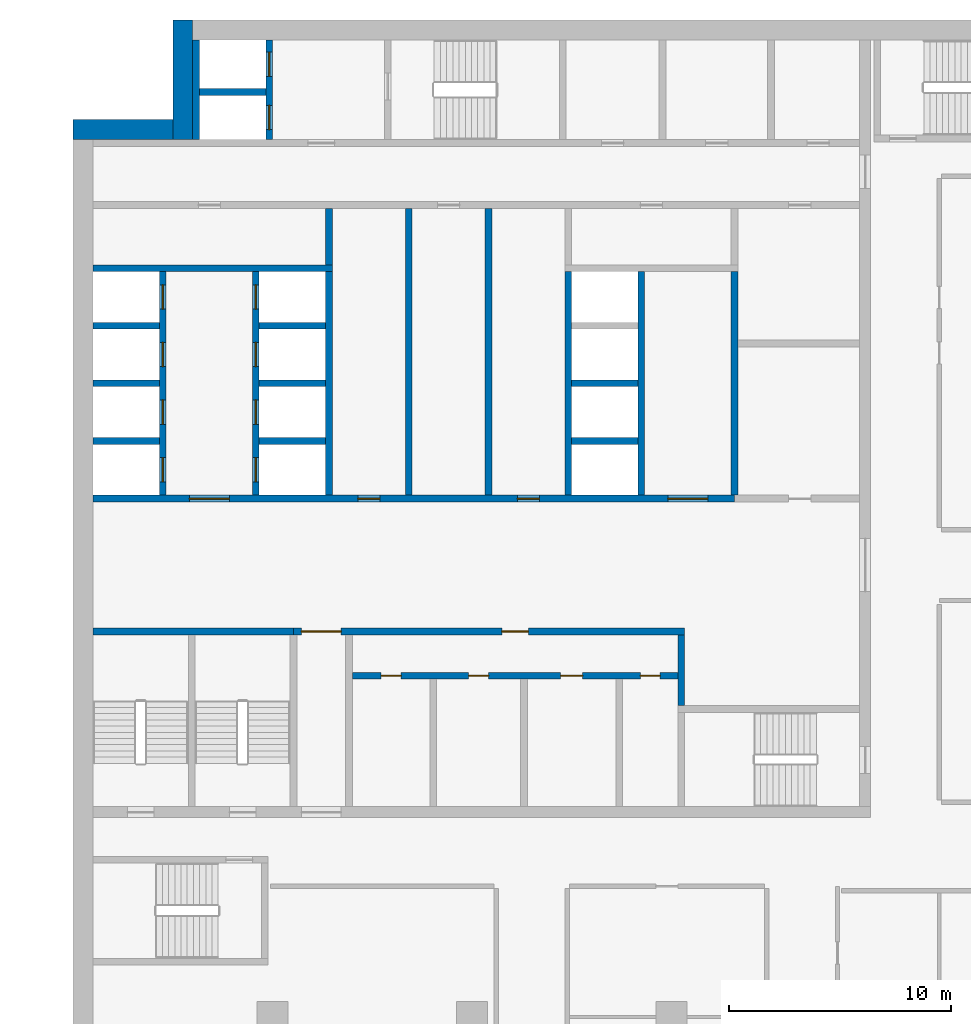
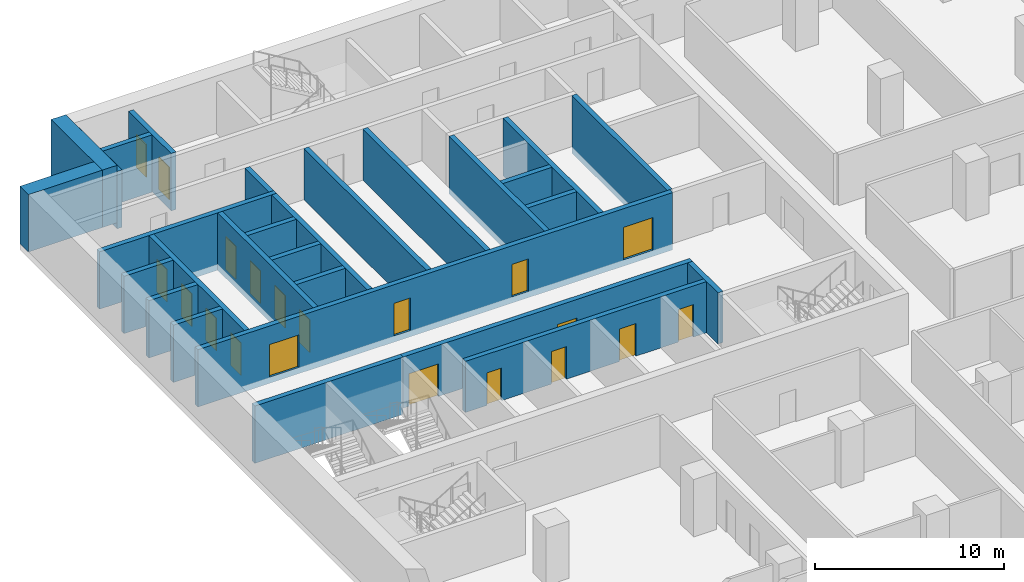
# One storey, part 14 of 29: 28 walls, 20 doors, 20 openings.
"""IFC4 building model written with IfcOpenShell, lengths in metres."""

from ifc_helpers import new_model, si_unit, direction, frame, frame_2d, origin, place, context, subcontext, project, spatial, rectangle, extrude, material, layer, layer_set, type_object, element, fill, save


model = new_model("IFC4")

# Units and contexts
model_context = context("Model", 3, precision=1e-05, world=origin(), true_north=direction((0.0, 1.0)))
body_context = subcontext(model_context, "Body", "Model", "MODEL_VIEW")
ifc_project = project(units=[si_unit("LENGTHUNIT", "METRE"), si_unit("AREAUNIT", "SQUARE_METRE"), si_unit("VOLUMEUNIT", "CUBIC_METRE"), si_unit("PLANEANGLEUNIT", "RADIAN"), si_unit("MASSUNIT", "GRAM", prefix="KILO")], contexts=[model_context])

# Site, building, storey
site_placement = place(None, origin())
site = spatial("IfcSite", under=ifc_project, at=site_placement, CompositionType="ELEMENT")
building_placement = place(site_placement, origin())
building = spatial("IfcBuilding", under=site, at=building_placement, Name="Hunhe Ridgeline Campus", CompositionType="ELEMENT")
storey_placement = place(building_placement, frame((0.0, 0.0, 54.300048828125)))
storey = spatial("IfcBuildingStorey", under=building, at=storey_placement, Name="L12", CompositionType="ELEMENT", Elevation=54.300048828125)

# Wall, openings, doors
ifc_material_1 = material(Name="Masonry concrete blockwork", Category="masonry")
ifc_layer_1 = layer(ifc_material_1, 0.300048828125)
ifc_layer_set_1 = layer_set([ifc_layer_1], Name="Core room partition 300 concrete block")
wall_type_1 = type_object("IfcWallType", Name="Core room partition 300 concrete block", PredefinedType="PARTITIONING", material=ifc_layer_set_1)
wall_1_placement = place(storey_placement, frame((12.60009765625, 69.39990234375, 0.0), z_axis=(0.0, 0.0, 1.0), x_axis=(1.0, 0.0, 0.0)))
wall_1 = element("IfcWall", 1, at=wall_1_placement, inside=storey, type_object=wall_type_1, Name="L12 core partition 11", PredefinedType="PARTITIONING", context=body_context, shape_type="SweptSolid", body=[
    extrude(rectangle(XDim=14.699951171875, YDim=0.300048828125, at=frame_2d((7.35009765625, 0.0))), origin(), (0.0, 0.0, 1.0), 3.300048828125),
])
opening_1_placement = place(wall_1_placement, frame((1.300048828125, 0.0, 0.0)))
opening_1 = element("IfcOpeningElement", 2, at=opening_1_placement, cuts=wall_1, Name="Opening CD8", PredefinedType="OPENING", context=body_context, shape_type="SweptSolid", body=[
    extrude(rectangle(XDim=0.89990234375, YDim=2.10009765625, at=frame_2d((0.449951171875, 1.050048828125))), frame((0.0, 0.14990234375, 0.0), z_axis=(0.0, -1.0, 0.0), x_axis=(1.0, 0.0, 0.0)), (0.0, 0.0, 1.0), 0.300048828125),
])
opening_2_placement = place(wall_1_placement, frame((5.25, 0.0, 0.0)))
opening_2 = element("IfcOpeningElement", 3, at=opening_2_placement, cuts=wall_1, Name="Opening CD9", PredefinedType="OPENING", context=body_context, shape_type="SweptSolid", body=[
    extrude(rectangle(XDim=0.89990234375, YDim=2.10009765625, at=frame_2d((0.449951171875, 1.050048828125))), frame((0.0, 0.14990234375, 0.0), z_axis=(0.0, -1.0, 0.0), x_axis=(1.0, 0.0, 0.0)), (0.0, 0.0, 1.0), 0.300048828125),
])
opening_3_placement = place(wall_1_placement, frame((9.39990234375, 0.0, 0.0)))
opening_3 = element("IfcOpeningElement", 4, at=opening_3_placement, cuts=wall_1, Name="Opening CD10", PredefinedType="OPENING", context=body_context, shape_type="SweptSolid", body=[
    extrude(rectangle(XDim=1.0, YDim=2.10009765625, at=frame_2d((0.5, 1.050048828125))), frame((0.0, 0.14990234375, 0.0), z_axis=(0.0, -1.0, 0.0), x_axis=(1.0, 0.0, 0.0)), (0.0, 0.0, 1.0), 0.300048828125),
])
opening_4_placement = place(wall_1_placement, frame((13.0, 0.0, 0.0)))
opening_4 = element("IfcOpeningElement", 5, at=opening_4_placement, cuts=wall_1, Name="Opening CD11", PredefinedType="OPENING", context=body_context, shape_type="SweptSolid", body=[
    extrude(rectangle(XDim=0.89990234375, YDim=2.10009765625, at=frame_2d((0.449951171875, 1.050048828125))), frame((0.0, 0.14990234375, 0.0), z_axis=(0.0, -1.0, 0.0), x_axis=(1.0, 0.0, 0.0)), (0.0, 0.0, 1.0), 0.300048828125),
])
ifc_material_2 = material(Name="Solid core timber door leaf", Category="wood")
door_type_1 = type_object("IfcDoorType", Name="Timber door 1000x2100", OperationType="SINGLE_SWING_LEFT", PredefinedType="DOOR", material=ifc_material_2)
door_1_placement = place(opening_3_placement, frame((1.0, 0.0, 0.0), z_axis=(0.0, 0.0, 1.0), x_axis=(-1.0, 0.0, 0.0)))
door_1 = element("IfcDoor", 6, at=door_1_placement, inside=storey, type_object=door_type_1, Name="L12 door WC3", OperationType="SINGLE_SWING_RIGHT", OverallHeight=2.10009765625, OverallWidth=1.0, PredefinedType="DOOR", context=body_context, shape_type="SweptSolid", body=[
    extrude(rectangle(XDim=1.0, YDim=2.10009765625, at=frame_2d((0.5, 1.050048828125))), frame((0.0, 0.02490234375, 0.0), z_axis=(0.0, -1.0, 0.0), x_axis=(1.0, 0.0, 0.0)), (0.0, 0.0, 1.0), 0.050048828125),
])
fill(opening_3, door_1)
door_type_2 = type_object("IfcDoorType", Name="Timber door 900x2100", OperationType="SINGLE_SWING_LEFT", PredefinedType="DOOR", material=ifc_material_2)
door_2_placement = place(opening_1_placement, frame((0.89990234375, 0.0, 0.0), z_axis=(0.0, 0.0, 1.0), x_axis=(-1.0, 0.0, 0.0)))
door_2 = element("IfcDoor", 7, at=door_2_placement, inside=storey, type_object=door_type_2, Name="L12 door WC1", OperationType="SINGLE_SWING_RIGHT", OverallHeight=2.10009765625, OverallWidth=0.89990234375, PredefinedType="DOOR", context=body_context, shape_type="SweptSolid", body=[
    extrude(rectangle(XDim=0.89990234375, YDim=2.10009765625, at=frame_2d((0.449951171875, 1.050048828125))), frame((0.0, 0.02490234375, 0.0), z_axis=(0.0, -1.0, 0.0), x_axis=(1.0, 0.0, 0.0)), (0.0, 0.0, 1.0), 0.050048828125),
])
fill(opening_1, door_2)
door_3_placement = place(opening_2_placement, frame((0.89990234375, 0.0, 0.0), z_axis=(0.0, 0.0, 1.0), x_axis=(-1.0, 0.0, 0.0)))
door_3 = element("IfcDoor", 8, at=door_3_placement, inside=storey, type_object=door_type_2, Name="L12 door WC2", OperationType="SINGLE_SWING_LEFT", OverallHeight=2.10009765625, OverallWidth=0.89990234375, PredefinedType="DOOR", context=body_context, shape_type="SweptSolid", body=[
    extrude(rectangle(XDim=0.89990234375, YDim=2.10009765625, at=frame_2d((0.449951171875, 1.050048828125))), frame((0.0, 0.02490234375, 0.0), z_axis=(0.0, -1.0, 0.0), x_axis=(1.0, 0.0, 0.0)), (0.0, 0.0, 1.0), 0.050048828125),
])
fill(opening_2, door_3)
door_4_placement = place(opening_4_placement, frame((0.89990234375, 0.0, 0.0), z_axis=(0.0, 0.0, 1.0), x_axis=(-1.0, 0.0, 0.0)))
door_4 = element("IfcDoor", 9, at=door_4_placement, inside=storey, type_object=door_type_2, Name="L12 door WC4", OperationType="SINGLE_SWING_LEFT", OverallHeight=2.10009765625, OverallWidth=0.89990234375, PredefinedType="DOOR", context=body_context, shape_type="SweptSolid", body=[
    extrude(rectangle(XDim=0.89990234375, YDim=2.10009765625, at=frame_2d((0.449951171875, 1.050048828125))), frame((0.0, 0.02490234375, 0.0), z_axis=(0.0, -1.0, 0.0), x_axis=(1.0, 0.0, 0.0)), (0.0, 0.0, 1.0), 0.050048828125),
])
fill(opening_4, door_4)

wall_2_placement = place(storey_placement, frame((9.949951171875, 71.39990234375, 0.0), z_axis=(0.0, 0.0, 1.0), x_axis=(1.0, 0.0, 0.0)))
wall_2 = element("IfcWall", 10, at=wall_2_placement, inside=storey, type_object=wall_type_1, Name="L12 core partition 13", PredefinedType="PARTITIONING", context=body_context, shape_type="SweptSolid", body=[
    extrude(rectangle(XDim=17.650146484375, YDim=0.300048828125, at=frame_2d((8.8251953125, 0.0))), origin(), (0.0, 0.0, 1.0), 3.300048828125),
])
opening_5_placement = place(wall_2_placement, frame((0.35009765625, 0.0, 0.0)))
opening_5 = element("IfcOpeningElement", 11, at=opening_5_placement, cuts=wall_2, Name="Opening CD7", PredefinedType="OPENING", context=body_context, shape_type="SweptSolid", body=[
    extrude(rectangle(XDim=1.800048828125, YDim=2.10009765625, at=frame_2d((0.89990234375, 1.050048828125))), frame((0.0, 0.14990234375, 0.0), z_axis=(0.0, -1.0, 0.0), x_axis=(1.0, 0.0, 0.0)), (0.0, 0.0, 1.0), 0.300048828125),
])
opening_6_placement = place(wall_2_placement, frame((9.39990234375, 0.0, 0.0)))
opening_6 = element("IfcOpeningElement", 12, at=opening_6_placement, cuts=wall_2, Name="Opening CD12", PredefinedType="OPENING", context=body_context, shape_type="SweptSolid", body=[
    extrude(rectangle(XDim=1.199951171875, YDim=2.10009765625, at=frame_2d((0.60009765625, 1.050048828125))), frame((0.0, 0.14990234375, 0.0), z_axis=(0.0, -1.0, 0.0), x_axis=(1.0, 0.0, 0.0)), (0.0, 0.0, 1.0), 0.300048828125),
])
ifc_material_3 = material(Name="Anodised aluminium and glass", Category="aluminium")
door_type_3 = type_object("IfcDoorType", Name="Glazed double door 1800x2100", OperationType="DOUBLE_DOOR_SINGLE_SWING", PredefinedType="DOOR", material=ifc_material_3)
door_5_placement = place(opening_5_placement, origin())
door_5 = element("IfcDoor", 13, at=door_5_placement, inside=storey, type_object=door_type_3, Name="L12 door VEST-HALL", OperationType="DOUBLE_DOOR_SINGLE_SWING", OverallHeight=2.10009765625, OverallWidth=1.800048828125, PredefinedType="DOOR", context=body_context, shape_type="SweptSolid", body=[
    extrude(rectangle(XDim=1.800048828125, YDim=2.10009765625, at=frame_2d((0.89990234375, 1.050048828125))), frame((0.0, 0.02490234375, 0.0), z_axis=(0.0, -1.0, 0.0), x_axis=(1.0, 0.0, 0.0)), (0.0, 0.0, 1.0), 0.050048828125),
])
fill(opening_5, door_5)
door_type_4 = type_object("IfcDoorType", Name="Timber door 1200x2100", OperationType="SINGLE_SWING_LEFT", PredefinedType="DOOR", material=ifc_material_2)
door_6_placement = place(opening_6_placement, origin())
door_6 = element("IfcDoor", 14, at=door_6_placement, inside=storey, type_object=door_type_4, Name="L12 door WCL2-HALL", OperationType="SINGLE_SWING_LEFT", OverallHeight=2.10009765625, OverallWidth=1.199951171875, PredefinedType="DOOR", context=body_context, shape_type="SweptSolid", body=[
    extrude(rectangle(XDim=1.199951171875, YDim=2.10009765625, at=frame_2d((0.60009765625, 1.050048828125))), frame((0.0, 0.02490234375, 0.0), z_axis=(0.0, -1.0, 0.0), x_axis=(1.0, 0.0, 0.0)), (0.0, 0.0, 1.0), 0.050048828125),
])
fill(opening_6, door_6)

# Walls
wall_3_placement = place(storey_placement, frame((11.550048828125, 87.949951171875, 0.0), z_axis=(0.0, 0.0, 1.0), x_axis=(0.0, 1.0, 0.0)))
element("IfcWall", 15, at=wall_3_placement, inside=storey, type_object=wall_type_1, Name="L12 core partition 44", PredefinedType="PARTITIONING", context=body_context, shape_type="SweptSolid", body=[
    extrude(rectangle(XDim=2.550048828125, YDim=0.300048828125, at=frame_2d((1.27490234375, 0.0))), origin(), (0.0, 0.0, 1.0), 3.300048828125),
])
for number, where, z_axis, x_axis, name in (
    (16, (15.14990234375, 77.550048828125, 0.0), (0.0, 0.0, 1.0), (0.0, 1.0, 0.0), "L12 core partition 47"),
    (17, (18.75, 77.550048828125, 0.0), (0.0, 0.0, 1.0), (0.0, 1.0, 0.0), "L12 core partition 49"),
):
    element("IfcWall", number, at=place(storey_placement, frame(where, z_axis=z_axis, x_axis=x_axis)), inside=storey, type_object=wall_type_1, Name=name, PredefinedType="PARTITIONING", context=body_context, shape_type="SweptSolid", body=[
        extrude(rectangle(XDim=12.949951171875, YDim=0.300048828125, at=frame_2d((6.47509765625, 0.0))), origin(), (0.0, 0.0, 1.0), 3.300048828125),
    ])
wall_4_placement = place(storey_placement, frame((27.449951171875, 68.050048828125, 0.0), z_axis=(0.0, 0.0, 1.0), x_axis=(0.0, 1.0, 0.0)))
element("IfcWall", 18, at=wall_4_placement, inside=storey, type_object=wall_type_1, Name="L12 core partition 60", PredefinedType="PARTITIONING", context=body_context, shape_type="SweptSolid", body=[
    extrude(rectangle(XDim=3.199951171875, YDim=0.300048828125, at=frame_2d((1.60009765625, 0.0))), origin(), (0.0, 0.0, 1.0), 3.300048828125),
])
ifc_material_4 = material(Name="Concrete C80", Category="concrete")
ifc_layer_2 = layer(ifc_material_4, 0.300048828125)
ifc_layer_set_2 = layer_set([ifc_layer_2], Name="Lobby wall 300 reinforced concrete C80")
wall_type_2 = type_object("IfcWallType", Name="Lobby wall 300 reinforced concrete C80", PredefinedType="SOLIDWALL", material=ifc_layer_set_2)
wall_5_placement = place(storey_placement, frame((29.85009765625, 77.550048828125, -0.400146484375), z_axis=(0.0, 0.0, 1.0), x_axis=(0.0, 1.0, 0.0)))
element("IfcWall", 19, at=wall_5_placement, inside=storey, type_object=wall_type_2, Name="L12 core wall 61", PredefinedType="SOLIDWALL", context=body_context, shape_type="SweptSolid", body=[
    extrude(rectangle(XDim=10.099853515625, YDim=0.300048828125, at=frame_2d((5.0498046875, 0.0))), origin(), (0.0, 0.0, 1.0), 3.7001953125),
])

# Wall, openings, doors
ifc_layer_3 = layer(ifc_material_4, 0.300048828125)
ifc_layer_set_3 = layer_set([ifc_layer_3], Name="Shaft wall 300 reinforced concrete C80")
wall_type_3 = type_object("IfcWallType", Name="Shaft wall 300 reinforced concrete C80", PredefinedType="SOLIDWALL", material=ifc_layer_set_3)
wall_6_placement = place(storey_placement, frame((0.89990234375, 77.39990234375, -0.400146484375), z_axis=(0.0, 0.0, 1.0), x_axis=(1.0, 0.0, 0.0)))
wall_6 = element("IfcWall", 20, at=wall_6_placement, inside=storey, type_object=wall_type_3, Name="L12 core wall 14", PredefinedType="SOLIDWALL", context=body_context, shape_type="SweptSolid", body=[
    extrude(rectangle(XDim=28.9501953125, YDim=0.300048828125, at=frame_2d((14.47509765625, 0.0))), origin(), (0.0, 0.0, 1.0), 3.7001953125),
])
opening_7_placement = place(wall_6_placement, frame((4.35009765625, 0.0, 0.39990234375)))
opening_7 = element("IfcOpeningElement", 21, at=opening_7_placement, cuts=wall_6, Name="Opening CD1", PredefinedType="OPENING", context=body_context, shape_type="SweptSolid", body=[
    extrude(rectangle(XDim=1.800048828125, YDim=2.10009765625, at=frame_2d((0.89990234375, 1.050048828125))), frame((0.0, 0.14990234375, 0.0), z_axis=(0.0, -1.0, 0.0), x_axis=(1.0, 0.0, 0.0)), (0.0, 0.0, 1.0), 0.300048828125),
])
opening_8_placement = place(wall_6_placement, frame((25.949951171875, 0.0, 0.39990234375)))
opening_8 = element("IfcOpeningElement", 22, at=opening_8_placement, cuts=wall_6, Name="Opening CD2", PredefinedType="OPENING", context=body_context, shape_type="SweptSolid", body=[
    extrude(rectangle(XDim=1.800048828125, YDim=2.10009765625, at=frame_2d((0.89990234375, 1.050048828125))), frame((0.0, 0.14990234375, 0.0), z_axis=(0.0, -1.0, 0.0), x_axis=(1.0, 0.0, 0.0)), (0.0, 0.0, 1.0), 0.300048828125),
])
opening_9_placement = place(wall_6_placement, frame((11.949951171875, 0.0, 0.39990234375)))
opening_9 = element("IfcOpeningElement", 23, at=opening_9_placement, cuts=wall_6, Name="Opening CD28", PredefinedType="OPENING", context=body_context, shape_type="SweptSolid", body=[
    extrude(rectangle(XDim=1.0, YDim=2.10009765625, at=frame_2d((0.5, 1.050048828125))), frame((0.0, 0.14990234375, 0.0), z_axis=(0.0, -1.0, 0.0), x_axis=(1.0, 0.0, 0.0)), (0.0, 0.0, 1.0), 0.300048828125),
])
opening_10_placement = place(wall_6_placement, frame((19.14990234375, 0.0, 0.39990234375)))
opening_10 = element("IfcOpeningElement", 24, at=opening_10_placement, cuts=wall_6, Name="Opening CD30", PredefinedType="OPENING", context=body_context, shape_type="SweptSolid", body=[
    extrude(rectangle(XDim=1.0, YDim=2.10009765625, at=frame_2d((0.5, 1.050048828125))), frame((0.0, 0.14990234375, 0.0), z_axis=(0.0, -1.0, 0.0), x_axis=(1.0, 0.0, 0.0)), (0.0, 0.0, 1.0), 0.300048828125),
])
ifc_material_5 = material(Name="Hollow metal fire door leaf")
door_type_5 = type_object("IfcDoorType", Name="Lobby door 1800x2100 FD60", OperationType="SINGLE_SWING_LEFT", PredefinedType="DOOR", material=ifc_material_5)
door_7_placement = place(opening_7_placement, frame((1.800048828125, 0.0, 0.0), z_axis=(0.0, 0.0, 1.0), x_axis=(-1.0, 0.0, 0.0)))
door_7 = element("IfcDoor", 25, at=door_7_placement, inside=storey, type_object=door_type_5, Name="L12 door LOB-LR", OperationType="SINGLE_SWING_RIGHT", OverallHeight=2.10009765625, OverallWidth=1.800048828125, PredefinedType="DOOR", context=body_context, shape_type="SweptSolid", body=[
    extrude(rectangle(XDim=1.800048828125, YDim=2.10009765625, at=frame_2d((0.89990234375, 1.050048828125))), frame((0.0, 0.02490234375, 0.0), z_axis=(0.0, -1.0, 0.0), x_axis=(1.0, 0.0, 0.0)), (0.0, 0.0, 1.0), 0.050048828125),
])
fill(opening_7, door_7)
door_8_placement = place(opening_8_placement, frame((1.800048828125, 0.0, 0.0), z_axis=(0.0, 0.0, 1.0), x_axis=(-1.0, 0.0, 0.0)))
door_8 = element("IfcDoor", 26, at=door_8_placement, inside=storey, type_object=door_type_5, Name="L12 door LOB-SH", OperationType="SINGLE_SWING_LEFT", OverallHeight=2.10009765625, OverallWidth=1.800048828125, PredefinedType="DOOR", context=body_context, shape_type="SweptSolid", body=[
    extrude(rectangle(XDim=1.800048828125, YDim=2.10009765625, at=frame_2d((0.89990234375, 1.050048828125))), frame((0.0, 0.02490234375, 0.0), z_axis=(0.0, -1.0, 0.0), x_axis=(1.0, 0.0, 0.0)), (0.0, 0.0, 1.0), 0.050048828125),
])
fill(opening_8, door_8)
door_9_placement = place(opening_9_placement, origin())
door_9 = element("IfcDoor", 27, at=door_9_placement, inside=storey, type_object=door_type_1, Name="L12 door VD-HR0", OperationType="SINGLE_SWING_LEFT", OverallHeight=2.10009765625, OverallWidth=1.0, PredefinedType="DOOR", context=body_context, shape_type="SweptSolid", body=[
    extrude(rectangle(XDim=1.0, YDim=2.10009765625, at=frame_2d((0.5, 1.050048828125))), frame((0.0, 0.02490234375, 0.0), z_axis=(0.0, -1.0, 0.0), x_axis=(1.0, 0.0, 0.0)), (0.0, 0.0, 1.0), 0.050048828125),
])
fill(opening_9, door_9)
door_10_placement = place(opening_10_placement, origin())
door_10 = element("IfcDoor", 28, at=door_10_placement, inside=storey, type_object=door_type_1, Name="L12 door VD-HR2", OperationType="SINGLE_SWING_LEFT", OverallHeight=2.10009765625, OverallWidth=1.0, PredefinedType="DOOR", context=body_context, shape_type="SweptSolid", body=[
    extrude(rectangle(XDim=1.0, YDim=2.10009765625, at=frame_2d((0.5, 1.050048828125))), frame((0.0, 0.02490234375, 0.0), z_axis=(0.0, -1.0, 0.0), x_axis=(1.0, 0.0, 0.0)), (0.0, 0.0, 1.0), 0.050048828125),
])
fill(opening_10, door_10)

# Walls
for number, where, z_axis, x_axis, name in (
    (29, (0.89990234375, 80.0, -0.400146484375), (0.0, 0.0, 1.0), (1.0, 0.0, 0.0), "L12 core wall 16"),
    (30, (8.39990234375, 80.0, -0.400146484375), (0.0, 0.0, 1.0), (1.0, 0.0, 0.0), "L12 core wall 17"),
    (31, (22.5, 80.0, -0.400146484375), (0.0, 0.0, 1.0), (1.0, 0.0, 0.0), "L12 core wall 18"),
    (32, (0.89990234375, 82.60009765625, -0.400146484375), (0.0, 0.0, 1.0), (1.0, 0.0, 0.0), "L12 core wall 19"),
    (33, (8.39990234375, 82.60009765625, -0.400146484375), (0.0, 0.0, 1.0), (1.0, 0.0, 0.0), "L12 core wall 20"),
    (34, (22.5, 82.60009765625, -0.400146484375), (0.0, 0.0, 1.0), (1.0, 0.0, 0.0), "L12 core wall 21"),
    (35, (0.89990234375, 85.199951171875, -0.400146484375), (0.0, 0.0, 1.0), (1.0, 0.0, 0.0), "L12 core wall 23"),
    (36, (8.39990234375, 85.199951171875, -0.400146484375), (0.0, 0.0, 1.0), (1.0, 0.0, 0.0), "L12 core wall 24"),
):
    element("IfcWall", number, at=place(storey_placement, frame(where, z_axis=z_axis, x_axis=x_axis)), inside=storey, type_object=wall_type_3, Name=name, PredefinedType="SOLIDWALL", context=body_context, shape_type="SweptSolid", body=[
        extrude(rectangle(XDim=3.0, YDim=0.300048828125, at=frame_2d((1.5, 0.0))), origin(), (0.0, 0.0, 1.0), 3.7001953125),
    ])
wall_7_placement = place(storey_placement, frame((0.89990234375, 87.800048828125, -0.400146484375), z_axis=(0.0, 0.0, 1.0), x_axis=(1.0, 0.0, 0.0)))
element("IfcWall", 37, at=wall_7_placement, inside=storey, type_object=wall_type_3, Name="L12 core wall 26", PredefinedType="SOLIDWALL", context=body_context, shape_type="SweptSolid", body=[
    extrude(rectangle(XDim=10.800048828125, YDim=0.300048828125, at=frame_2d((5.39990234375, 0.0))), origin(), (0.0, 0.0, 1.0), 3.7001953125),
])
wall_8_placement = place(storey_placement, frame((5.699951171875, 95.75, -0.400146484375), z_axis=(0.0, 0.0, 1.0), x_axis=(1.0, 0.0, 0.0)))
element("IfcWall", 38, at=wall_8_placement, inside=storey, type_object=wall_type_3, Name="L12 core wall 34", PredefinedType="SOLIDWALL", context=body_context, shape_type="SweptSolid", body=[
    extrude(rectangle(XDim=3.0, YDim=0.300048828125, at=frame_2d((1.5, 0.0))), origin(), (0.0, 0.0, 1.0), 3.7001953125),
])

# Wall, openings, doors
wall_9_placement = place(storey_placement, frame((4.050048828125, 77.550048828125, -0.400146484375), z_axis=(0.0, 0.0, 1.0), x_axis=(0.0, 1.0, 0.0)))
wall_9 = element("IfcWall", 39, at=wall_9_placement, inside=storey, type_object=wall_type_3, Name="L12 core wall 35", PredefinedType="SOLIDWALL", context=body_context, shape_type="SweptSolid", body=[
    extrude(rectangle(XDim=10.099853515625, YDim=0.300048828125, at=frame_2d((5.0498046875, 0.0))), origin(), (0.0, 0.0, 1.0), 3.7001953125),
])
opening_11_placement = place(wall_9_placement, frame((0.60009765625, 0.0, 0.39990234375)))
opening_11 = element("IfcOpeningElement", 40, at=opening_11_placement, cuts=wall_9, Name="Opening LD-LR1", PredefinedType="OPENING", context=body_context, shape_type="SweptSolid", body=[
    extrude(rectangle(XDim=1.10009765625, YDim=2.10009765625, at=frame_2d((0.550048828125, 1.050048828125))), frame((0.0, 0.14990234375, 0.0), z_axis=(0.0, -1.0, 0.0), x_axis=(1.0, 0.0, 0.0)), (0.0, 0.0, 1.0), 0.300048828125),
])
opening_12_placement = place(wall_9_placement, frame((3.199951171875, 0.0, 0.39990234375)))
opening_12 = element("IfcOpeningElement", 41, at=opening_12_placement, cuts=wall_9, Name="Opening LD-LR2", PredefinedType="OPENING", context=body_context, shape_type="SweptSolid", body=[
    extrude(rectangle(XDim=1.10009765625, YDim=2.10009765625, at=frame_2d((0.550048828125, 1.050048828125))), frame((0.0, 0.14990234375, 0.0), z_axis=(0.0, -1.0, 0.0), x_axis=(1.0, 0.0, 0.0)), (0.0, 0.0, 1.0), 0.300048828125),
])
opening_13_placement = place(wall_9_placement, frame((5.800048828125, 0.0, 0.39990234375)))
opening_13 = element("IfcOpeningElement", 42, at=opening_13_placement, cuts=wall_9, Name="Opening LD-LR3", PredefinedType="OPENING", context=body_context, shape_type="SweptSolid", body=[
    extrude(rectangle(XDim=1.10009765625, YDim=2.10009765625, at=frame_2d((0.550048828125, 1.050048828125))), frame((0.0, 0.14990234375, 0.0), z_axis=(0.0, -1.0, 0.0), x_axis=(1.0, 0.0, 0.0)), (0.0, 0.0, 1.0), 0.300048828125),
])
opening_14_placement = place(wall_9_placement, frame((8.39990234375, 0.0, 0.39990234375)))
opening_14 = element("IfcOpeningElement", 43, at=opening_14_placement, cuts=wall_9, Name="Opening LD-LR4", PredefinedType="OPENING", context=body_context, shape_type="SweptSolid", body=[
    extrude(rectangle(XDim=1.10009765625, YDim=2.10009765625, at=frame_2d((0.550048828125, 1.050048828125))), frame((0.0, 0.14990234375, 0.0), z_axis=(0.0, -1.0, 0.0), x_axis=(1.0, 0.0, 0.0)), (0.0, 0.0, 1.0), 0.300048828125),
])
ifc_material_6 = material(Name="Stainless steel sliding leaves", Category="steel")
door_type_6 = type_object("IfcDoorType", Name="Landing door 1100x2100 FD120", OperationType="SLIDING_TO_LEFT", PredefinedType="DOOR", material=ifc_material_6)
door_11_placement = place(opening_11_placement, origin())
door_11 = element("IfcDoor", 44, at=door_11_placement, inside=storey, type_object=door_type_6, Name="L12 landing door LR1", OperationType="SLIDING_TO_RIGHT", OverallHeight=2.10009765625, OverallWidth=1.10009765625, PredefinedType="DOOR", context=body_context, shape_type="SweptSolid", body=[
    extrude(rectangle(XDim=1.10009765625, YDim=2.10009765625, at=frame_2d((0.550048828125, 1.050048828125))), frame((0.0, 0.02490234375, 0.0), z_axis=(0.0, -1.0, 0.0), x_axis=(1.0, 0.0, 0.0)), (0.0, 0.0, 1.0), 0.050048828125),
])
fill(opening_11, door_11)
door_12_placement = place(opening_12_placement, origin())
door_12 = element("IfcDoor", 45, at=door_12_placement, inside=storey, type_object=door_type_6, Name="L12 landing door LR2", OperationType="SLIDING_TO_LEFT", OverallHeight=2.10009765625, OverallWidth=1.10009765625, PredefinedType="DOOR", context=body_context, shape_type="SweptSolid", body=[
    extrude(rectangle(XDim=1.10009765625, YDim=2.10009765625, at=frame_2d((0.550048828125, 1.050048828125))), frame((0.0, 0.02490234375, 0.0), z_axis=(0.0, -1.0, 0.0), x_axis=(1.0, 0.0, 0.0)), (0.0, 0.0, 1.0), 0.050048828125),
])
fill(opening_12, door_12)
door_13_placement = place(opening_13_placement, origin())
door_13 = element("IfcDoor", 46, at=door_13_placement, inside=storey, type_object=door_type_6, Name="L12 landing door LR3", OperationType="SLIDING_TO_RIGHT", OverallHeight=2.10009765625, OverallWidth=1.10009765625, PredefinedType="DOOR", context=body_context, shape_type="SweptSolid", body=[
    extrude(rectangle(XDim=1.10009765625, YDim=2.10009765625, at=frame_2d((0.550048828125, 1.050048828125))), frame((0.0, 0.02490234375, 0.0), z_axis=(0.0, -1.0, 0.0), x_axis=(1.0, 0.0, 0.0)), (0.0, 0.0, 1.0), 0.050048828125),
])
fill(opening_13, door_13)
door_14_placement = place(opening_14_placement, origin())
door_14 = element("IfcDoor", 47, at=door_14_placement, inside=storey, type_object=door_type_6, Name="L12 landing door LR4", OperationType="SLIDING_TO_LEFT", OverallHeight=2.10009765625, OverallWidth=1.10009765625, PredefinedType="DOOR", context=body_context, shape_type="SweptSolid", body=[
    extrude(rectangle(XDim=1.10009765625, YDim=2.10009765625, at=frame_2d((0.550048828125, 1.050048828125))), frame((0.0, 0.02490234375, 0.0), z_axis=(0.0, -1.0, 0.0), x_axis=(1.0, 0.0, 0.0)), (0.0, 0.0, 1.0), 0.050048828125),
])
fill(opening_14, door_14)

# Wall
wall_10_placement = place(storey_placement, frame((5.550048828125, 93.60009765625, -0.400146484375), z_axis=(0.0, 0.0, 1.0), x_axis=(0.0, 1.0, 0.0)))
element("IfcWall", 48, at=wall_10_placement, inside=storey, type_object=wall_type_3, Name="L12 core wall 37", PredefinedType="SOLIDWALL", context=body_context, shape_type="SweptSolid", body=[
    extrude(rectangle(XDim=4.5, YDim=0.300048828125, at=frame_2d((2.25, 0.0))), origin(), (0.0, 0.0, 1.0), 3.7001953125),
])

# Wall, openings, doors
wall_11_placement = place(storey_placement, frame((8.25, 77.550048828125, -0.400146484375), z_axis=(0.0, 0.0, 1.0), x_axis=(0.0, 1.0, 0.0)))
wall_11 = element("IfcWall", 49, at=wall_11_placement, inside=storey, type_object=wall_type_3, Name="L12 core wall 38", PredefinedType="SOLIDWALL", context=body_context, shape_type="SweptSolid", body=[
    extrude(rectangle(XDim=10.099853515625, YDim=0.300048828125, at=frame_2d((5.0498046875, 0.0))), origin(), (0.0, 0.0, 1.0), 3.7001953125),
])
opening_15_placement = place(wall_11_placement, frame((0.60009765625, 0.0, 0.39990234375)))
opening_15 = element("IfcOpeningElement", 50, at=opening_15_placement, cuts=wall_11, Name="Opening LD-LR5", PredefinedType="OPENING", context=body_context, shape_type="SweptSolid", body=[
    extrude(rectangle(XDim=1.10009765625, YDim=2.10009765625, at=frame_2d((0.550048828125, 1.050048828125))), frame((0.0, 0.14990234375, 0.0), z_axis=(0.0, -1.0, 0.0), x_axis=(1.0, 0.0, 0.0)), (0.0, 0.0, 1.0), 0.300048828125),
])
opening_16_placement = place(wall_11_placement, frame((3.199951171875, 0.0, 0.39990234375)))
opening_16 = element("IfcOpeningElement", 51, at=opening_16_placement, cuts=wall_11, Name="Opening LD-LR6", PredefinedType="OPENING", context=body_context, shape_type="SweptSolid", body=[
    extrude(rectangle(XDim=1.10009765625, YDim=2.10009765625, at=frame_2d((0.550048828125, 1.050048828125))), frame((0.0, 0.14990234375, 0.0), z_axis=(0.0, -1.0, 0.0), x_axis=(1.0, 0.0, 0.0)), (0.0, 0.0, 1.0), 0.300048828125),
])
opening_17_placement = place(wall_11_placement, frame((5.800048828125, 0.0, 0.39990234375)))
opening_17 = element("IfcOpeningElement", 52, at=opening_17_placement, cuts=wall_11, Name="Opening LD-LR7", PredefinedType="OPENING", context=body_context, shape_type="SweptSolid", body=[
    extrude(rectangle(XDim=1.10009765625, YDim=2.10009765625, at=frame_2d((0.550048828125, 1.050048828125))), frame((0.0, 0.14990234375, 0.0), z_axis=(0.0, -1.0, 0.0), x_axis=(1.0, 0.0, 0.0)), (0.0, 0.0, 1.0), 0.300048828125),
])
opening_18_placement = place(wall_11_placement, frame((8.39990234375, 0.0, 0.39990234375)))
opening_18 = element("IfcOpeningElement", 53, at=opening_18_placement, cuts=wall_11, Name="Opening LD-LR8", PredefinedType="OPENING", context=body_context, shape_type="SweptSolid", body=[
    extrude(rectangle(XDim=1.10009765625, YDim=2.10009765625, at=frame_2d((0.550048828125, 1.050048828125))), frame((0.0, 0.14990234375, 0.0), z_axis=(0.0, -1.0, 0.0), x_axis=(1.0, 0.0, 0.0)), (0.0, 0.0, 1.0), 0.300048828125),
])
door_15_placement = place(opening_15_placement, origin())
door_15 = element("IfcDoor", 54, at=door_15_placement, inside=storey, type_object=door_type_6, Name="L12 landing door LR5", OperationType="SLIDING_TO_RIGHT", OverallHeight=2.10009765625, OverallWidth=1.10009765625, PredefinedType="DOOR", context=body_context, shape_type="SweptSolid", body=[
    extrude(rectangle(XDim=1.10009765625, YDim=2.10009765625, at=frame_2d((0.550048828125, 1.050048828125))), frame((0.0, 0.02490234375, 0.0), z_axis=(0.0, -1.0, 0.0), x_axis=(1.0, 0.0, 0.0)), (0.0, 0.0, 1.0), 0.050048828125),
])
fill(opening_15, door_15)
door_16_placement = place(opening_16_placement, origin())
door_16 = element("IfcDoor", 55, at=door_16_placement, inside=storey, type_object=door_type_6, Name="L12 landing door LR6", OperationType="SLIDING_TO_LEFT", OverallHeight=2.10009765625, OverallWidth=1.10009765625, PredefinedType="DOOR", context=body_context, shape_type="SweptSolid", body=[
    extrude(rectangle(XDim=1.10009765625, YDim=2.10009765625, at=frame_2d((0.550048828125, 1.050048828125))), frame((0.0, 0.02490234375, 0.0), z_axis=(0.0, -1.0, 0.0), x_axis=(1.0, 0.0, 0.0)), (0.0, 0.0, 1.0), 0.050048828125),
])
fill(opening_16, door_16)
door_17_placement = place(opening_17_placement, origin())
door_17 = element("IfcDoor", 56, at=door_17_placement, inside=storey, type_object=door_type_6, Name="L12 landing door LR7", OperationType="SLIDING_TO_RIGHT", OverallHeight=2.10009765625, OverallWidth=1.10009765625, PredefinedType="DOOR", context=body_context, shape_type="SweptSolid", body=[
    extrude(rectangle(XDim=1.10009765625, YDim=2.10009765625, at=frame_2d((0.550048828125, 1.050048828125))), frame((0.0, 0.02490234375, 0.0), z_axis=(0.0, -1.0, 0.0), x_axis=(1.0, 0.0, 0.0)), (0.0, 0.0, 1.0), 0.050048828125),
])
fill(opening_17, door_17)
door_18_placement = place(opening_18_placement, origin())
door_18 = element("IfcDoor", 57, at=door_18_placement, inside=storey, type_object=door_type_6, Name="L12 landing door LR8", OperationType="SLIDING_TO_LEFT", OverallHeight=2.10009765625, OverallWidth=1.10009765625, PredefinedType="DOOR", context=body_context, shape_type="SweptSolid", body=[
    extrude(rectangle(XDim=1.10009765625, YDim=2.10009765625, at=frame_2d((0.550048828125, 1.050048828125))), frame((0.0, 0.02490234375, 0.0), z_axis=(0.0, -1.0, 0.0), x_axis=(1.0, 0.0, 0.0)), (0.0, 0.0, 1.0), 0.050048828125),
])
fill(opening_18, door_18)

wall_12_placement = place(storey_placement, frame((8.85009765625, 93.60009765625, -0.400146484375), z_axis=(0.0, 0.0, 1.0), x_axis=(0.0, 1.0, 0.0)))
wall_12 = element("IfcWall", 58, at=wall_12_placement, inside=storey, type_object=wall_type_3, Name="L12 core wall 41", PredefinedType="SOLIDWALL", context=body_context, shape_type="SweptSolid", body=[
    extrude(rectangle(XDim=4.5, YDim=0.300048828125, at=frame_2d((2.25, 0.0))), origin(), (0.0, 0.0, 1.0), 3.7001953125),
])
opening_19_placement = place(wall_12_placement, frame((0.449951171875, 0.0, 0.39990234375)))
opening_19 = element("IfcOpeningElement", 59, at=opening_19_placement, cuts=wall_12, Name="Opening LD-FF1", PredefinedType="OPENING", context=body_context, shape_type="SweptSolid", body=[
    extrude(rectangle(XDim=1.10009765625, YDim=2.10009765625, at=frame_2d((0.550048828125, 1.050048828125))), frame((0.0, 0.14990234375, 0.0), z_axis=(0.0, -1.0, 0.0), x_axis=(1.0, 0.0, 0.0)), (0.0, 0.0, 1.0), 0.300048828125),
])
opening_20_placement = place(wall_12_placement, frame((2.85009765625, 0.0, 0.39990234375)))
opening_20 = element("IfcOpeningElement", 60, at=opening_20_placement, cuts=wall_12, Name="Opening LD-FF2", PredefinedType="OPENING", context=body_context, shape_type="SweptSolid", body=[
    extrude(rectangle(XDim=1.10009765625, YDim=2.10009765625, at=frame_2d((0.550048828125, 1.050048828125))), frame((0.0, 0.14990234375, 0.0), z_axis=(0.0, -1.0, 0.0), x_axis=(1.0, 0.0, 0.0)), (0.0, 0.0, 1.0), 0.300048828125),
])
door_19_placement = place(opening_19_placement, origin())
door_19 = element("IfcDoor", 61, at=door_19_placement, inside=storey, type_object=door_type_6, Name="L12 landing door FF1", OperationType="SLIDING_TO_RIGHT", OverallHeight=2.10009765625, OverallWidth=1.10009765625, PredefinedType="DOOR", context=body_context, shape_type="SweptSolid", body=[
    extrude(rectangle(XDim=1.10009765625, YDim=2.10009765625, at=frame_2d((0.550048828125, 1.050048828125))), frame((0.0, 0.02490234375, 0.0), z_axis=(0.0, -1.0, 0.0), x_axis=(1.0, 0.0, 0.0)), (0.0, 0.0, 1.0), 0.050048828125),
])
fill(opening_19, door_19)
door_20_placement = place(opening_20_placement, origin())
door_20 = element("IfcDoor", 62, at=door_20_placement, inside=storey, type_object=door_type_6, Name="L12 landing door FF2", OperationType="SLIDING_TO_LEFT", OverallHeight=2.10009765625, OverallWidth=1.10009765625, PredefinedType="DOOR", context=body_context, shape_type="SweptSolid", body=[
    extrude(rectangle(XDim=1.10009765625, YDim=2.10009765625, at=frame_2d((0.550048828125, 1.050048828125))), frame((0.0, 0.02490234375, 0.0), z_axis=(0.0, -1.0, 0.0), x_axis=(1.0, 0.0, 0.0)), (0.0, 0.0, 1.0), 0.050048828125),
])
fill(opening_20, door_20)

# Walls
for number, where, z_axis, x_axis, name in (
    (63, (11.550048828125, 77.550048828125, -0.400146484375), (0.0, 0.0, 1.0), (0.0, 1.0, 0.0), "L12 core wall 43"),
    (64, (22.35009765625, 77.550048828125, -0.400146484375), (0.0, 0.0, 1.0), (0.0, 1.0, 0.0), "L12 core wall 53"),
    (65, (25.64990234375, 77.550048828125, -0.400146484375), (0.0, 0.0, 1.0), (0.0, 1.0, 0.0), "L12 core wall 57"),
):
    element("IfcWall", number, at=place(storey_placement, frame(where, z_axis=z_axis, x_axis=x_axis)), inside=storey, type_object=wall_type_3, Name=name, PredefinedType="SOLIDWALL", context=body_context, shape_type="SweptSolid", body=[
        extrude(rectangle(XDim=10.099853515625, YDim=0.300048828125, at=frame_2d((5.0498046875, 0.0))), origin(), (0.0, 0.0, 1.0), 3.7001953125),
    ])
ifc_layer_4 = layer(ifc_material_4, 0.89990234375)
ifc_layer_set_4 = layer_set([ifc_layer_4], Name="Spine wall 900 Concrete C80")
wall_type_4 = type_object("IfcWallType", Name="Spine wall 900 Concrete C80", PredefinedType="SHEAR", material=ifc_layer_set_4)
for number, where, z_axis, x_axis, name in (
    (66, (4.949951171875, 99.0, 0.0), (0.0, 0.0, 1.0), (0.0, -1.0, 0.0), "Spine wall SW1-5 L12"),
    (67, (5.400146484375, 94.050048828125, 0.0), (0.0, 0.0, 1.0), (-1.0, 0.0, 0.0), "Spine wall SW1-6 L12"),
):
    element("IfcWall", number, at=place(storey_placement, frame(where, z_axis=z_axis, x_axis=x_axis)), inside=storey, type_object=wall_type_4, Name=name, PredefinedType="SHEAR", context=body_context, shape_type="SweptSolid", body=[
        extrude(rectangle(XDim=5.400146484375, YDim=0.89990234375, at=frame_2d((2.7001953125, 0.0))), origin(), (0.0, 0.0, 1.0), 3.699951171875),
    ])
ifc_layer_5 = layer(ifc_material_4, 0.300048828125)
ifc_layer_set_5 = layer_set([ifc_layer_5], Name="Stair wall 300 reinforced concrete C80")
wall_type_5 = type_object("IfcWallType", Name="Stair wall 300 reinforced concrete C80", PredefinedType="SOLIDWALL", material=ifc_layer_set_5)
wall_13_placement = place(storey_placement, frame((0.89990234375, 71.39990234375, -0.400146484375), z_axis=(0.0, 0.0, 1.0), x_axis=(1.0, 0.0, 0.0)))
element("IfcWall", 68, at=wall_13_placement, inside=storey, type_object=wall_type_5, Name="L12 core wall 12", PredefinedType="SOLIDWALL", context=body_context, shape_type="SweptSolid", body=[
    extrude(rectangle(XDim=9.050048828125, YDim=0.300048828125, at=frame_2d((4.52490234375, 0.0))), origin(), (0.0, 0.0, 1.0), 3.7001953125),
])

save(model, "model.ifc")
